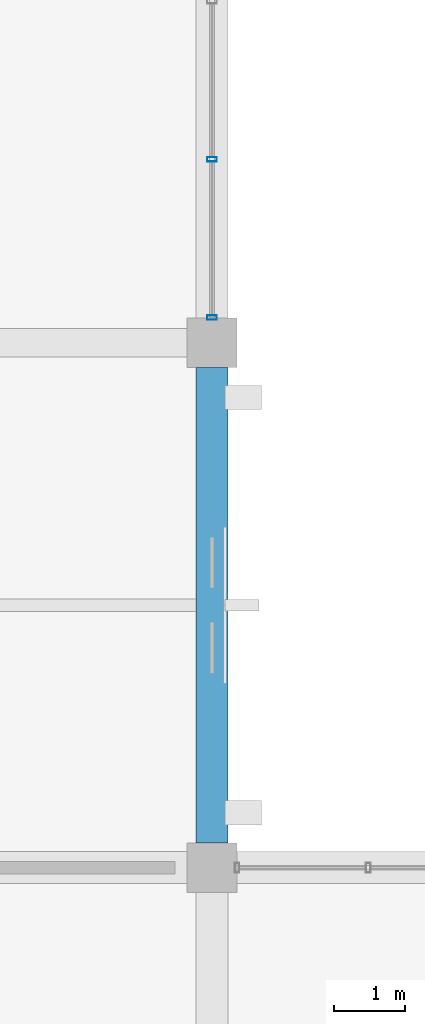
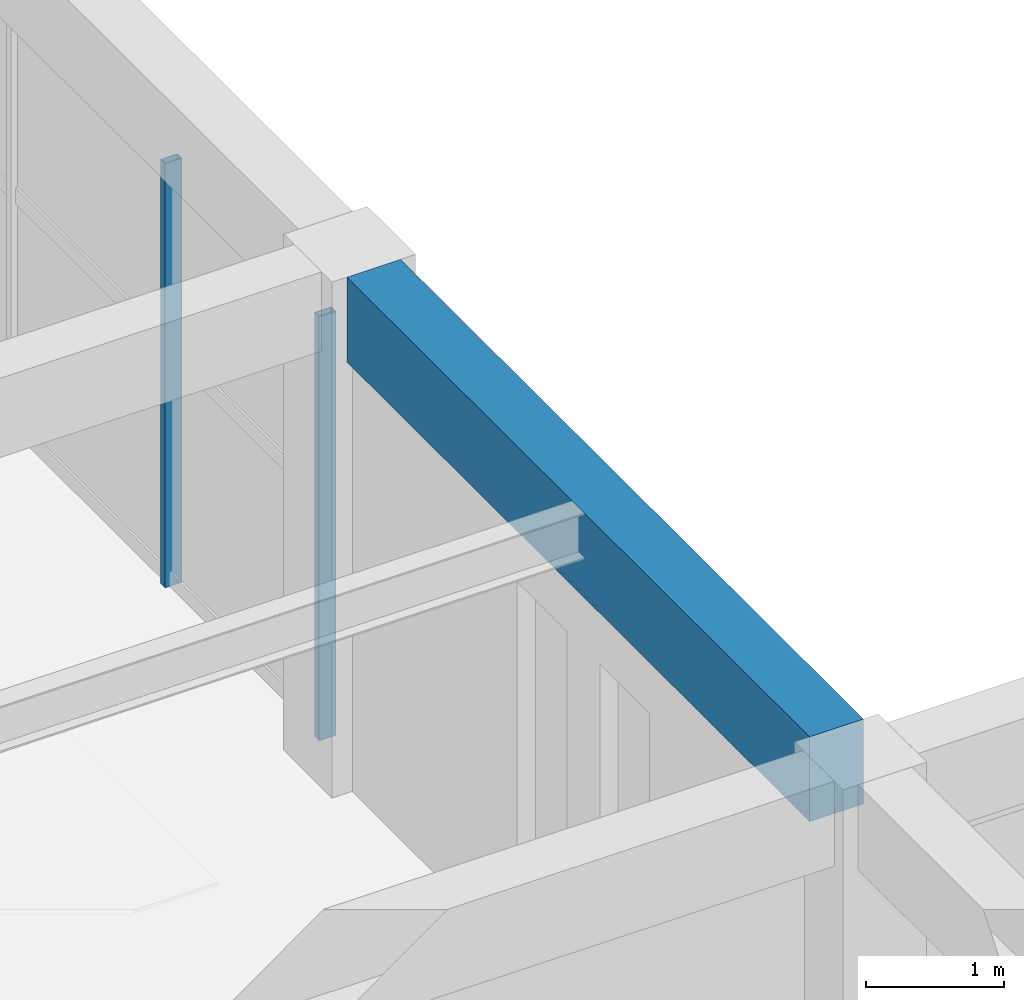
# One storey, part 14 of 161: 2 members, 1 beam, 1 element without a shape of its own.
"""IFC4 building model written with IfcOpenShell, lengths in metres."""

from ifc_helpers import new_model, si_unit, direction, frame, origin, origin_2d, place, context, subcontext, project, spatial, rectangle, hollow_rectangle, extrude, material, material_profile, profile_set, type_object, element, aggregate, save


model = new_model("IFC4")

# Units and contexts
model_context = context("Model", 3, precision=1e-05, world=origin(), true_north=direction((0.0, 1.0)))
body_context = subcontext(model_context, "Body", "Model", "MODEL_VIEW")
ifc_project = project(units=[si_unit("LENGTHUNIT", "METRE"), si_unit("AREAUNIT", "SQUARE_METRE"), si_unit("VOLUMEUNIT", "CUBIC_METRE"), si_unit("PLANEANGLEUNIT", "RADIAN"), si_unit("MASSUNIT", "GRAM", prefix="KILO")], contexts=[model_context])

# Site, building, storey
site_placement = place(None, origin())
site = spatial("IfcSite", under=ifc_project, at=site_placement, CompositionType="ELEMENT")
building_placement = place(site_placement, origin())
building = spatial("IfcBuilding", under=site, at=building_placement, Name="Cimatlan Art Gallery", CompositionType="ELEMENT")
storey_placement = place(building_placement, frame((0.0, 0.0, 5.39990234375)))
storey = spatial("IfcBuildingStorey", under=building, at=storey_placement, Name="L01", CompositionType="ELEMENT", Elevation=5.39990234375)

# Beam
ifc_material_1 = material(Name="Concrete C40/50", Category="concrete")
ifc_material_profile_1 = material_profile(ifc_material_1, rectangle(XDim=0.449951171875, YDim=0.75, at=origin_2d()), Name="RC450X750")
ifc_profile_set_1 = profile_set([ifc_material_profile_1], Name="Concrete C40/50")
beam_type = type_object("IfcBeamType", Name="BM-RC-450X750", PredefinedType="BEAM", material=ifc_profile_set_1)
beam_placement = place(storey_placement, frame((18.199951171875, 39.050048828125, 4.18505859375), z_axis=(0.0, 1.0, 0.0), x_axis=(-1.0, 0.0, 0.0)))
element("IfcBeam", 1, at=beam_placement, inside=storey, type_object=beam_type, Name="BM-Y-L01-02-05", PredefinedType="BEAM", context=body_context, shape_type="SweptSolid", body=[
    extrude(rectangle(XDim=0.449951171875, YDim=0.75, at=origin_2d()), origin(), (0.0, 0.0, 1.0), 6.699951171875),
])

# Curtain wall, members
ifc_material_2 = material(Name="Anodised bronze unitised curtain wall")
curtain_wall_type = type_object("IfcCurtainWallType", Name="CW-V-06692X03750-B3", PredefinedType="NOTDEFINED", material=ifc_material_2)
curtain_wall_placement = place(storey_placement, origin())
curtain_wall = element("IfcCurtainWall", 2, at=curtain_wall_placement, inside=storey, type_object=curtain_wall_type, Name="CW-L01-01-06-E", PredefinedType="NOTDEFINED")
ifc_material_3 = material(Name="Anodised bronze aluminium 6063-T6", Category="aluminium")
ifc_material_profile_2 = material_profile(ifc_material_3, hollow_rectangle(XDim=0.06494140625, YDim=0.139892578125, WallThickness=0.00390625, at=origin_2d()), Name="ALU65X140X4")
ifc_profile_set_2 = profile_set([ifc_material_profile_2], Name="Anodised bronze aluminium 6063-T6")
member_type = type_object("IfcMemberType", Name="CW-MUL-140", PredefinedType="MULLION", material=ifc_profile_set_2)
member_1_placement = place(storey_placement, frame((18.199951171875, 48.6845703125, 0.0), z_axis=(0.0, 0.0, 1.0), x_axis=(0.0, 1.0, 0.0)))
member_1 = element("IfcMember", 3, at=member_1_placement, type_object=member_type, Name="CW-L01-01-06-E-M3", PredefinedType="MULLION", context=body_context, shape_type="SweptSolid", body=[
    extrude(hollow_rectangle(XDim=0.06494140625, YDim=0.139892578125, WallThickness=0.00390625, at=origin_2d()), origin(), (0.0, 0.0, 1.0), 3.75),
])
member_2_placement = place(storey_placement, frame((18.199951171875, 46.4541015625, 0.0), z_axis=(0.0, 0.0, 1.0), x_axis=(0.0, 1.0, 0.0)))
member_2 = element("IfcMember", 4, at=member_2_placement, type_object=member_type, Name="CW-L01-01-06-E-M4", PredefinedType="MULLION", context=body_context, shape_type="SweptSolid", body=[
    extrude(hollow_rectangle(XDim=0.06494140625, YDim=0.139892578125, WallThickness=0.00390625, at=origin_2d()), origin(), (0.0, 0.0, 1.0), 3.75),
])
aggregate(curtain_wall, [member_1, member_2])

save(model, "model.ifc")
